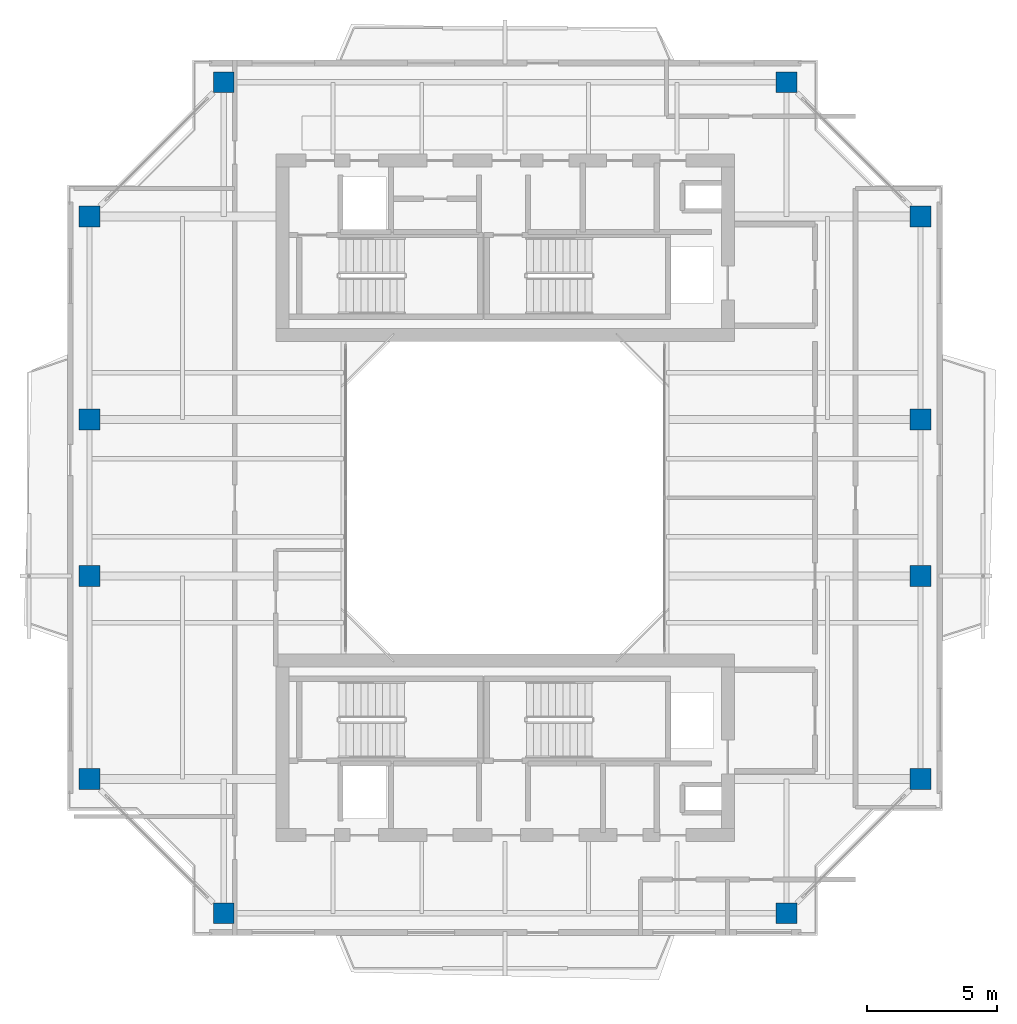
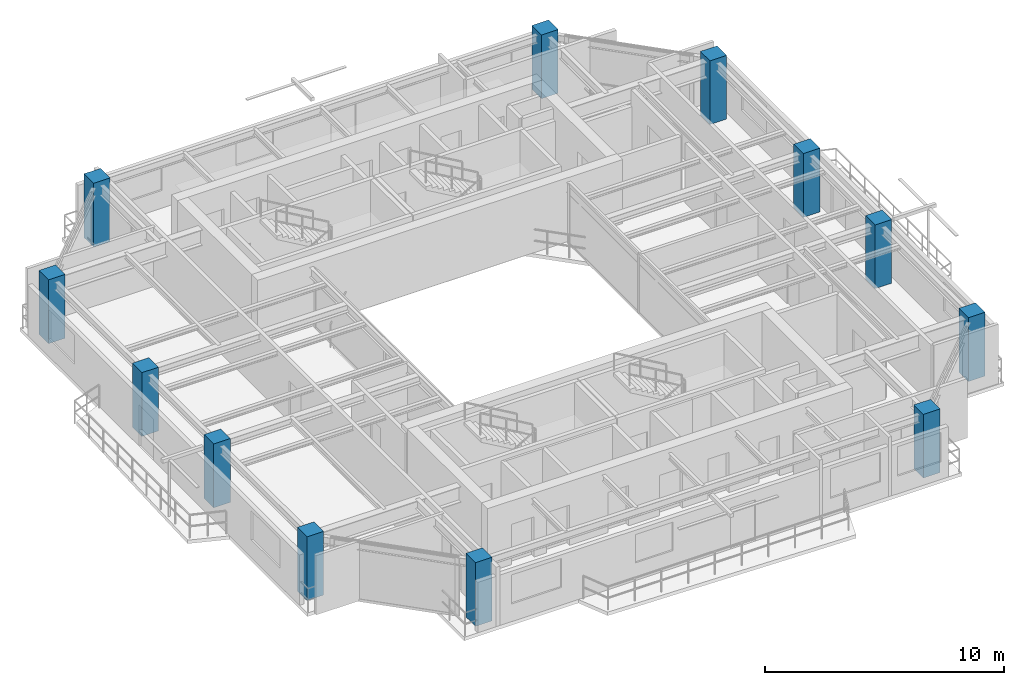
# One storey, part 1 of 16: 12 columns.
"""IFC4 building model written with IfcOpenShell, lengths in metres."""

from ifc_helpers import new_model, si_unit, direction, frame, origin, origin_2d, place, context, subcontext, project, spatial, rectangle, extrude, source, transform, mapped, material, material_profile, profile_set, type_object, element, save


model = new_model("IFC4")

# Units and contexts
model_context = context("Model", 3, precision=1e-05, world=origin(), true_north=direction((0.0, 1.0)))
body_context = subcontext(model_context, "Body", "Model", "MODEL_VIEW")
ifc_project = project(units=[si_unit("LENGTHUNIT", "METRE"), si_unit("AREAUNIT", "SQUARE_METRE"), si_unit("VOLUMEUNIT", "CUBIC_METRE"), si_unit("PLANEANGLEUNIT", "RADIAN"), si_unit("MASSUNIT", "GRAM", prefix="KILO"), si_unit("THERMODYNAMICTEMPERATUREUNIT", "KELVIN"), si_unit("POWERUNIT", "WATT")], contexts=[model_context])

# Site, building, storey
site_placement = place(None, origin())
site = spatial("IfcSite", under=ifc_project, at=site_placement, CompositionType="ELEMENT")
building_placement = place(site_placement, origin())
building = spatial("IfcBuilding", under=site, at=building_placement, Name="Qiaomeng Ring Towers", CompositionType="ELEMENT")
storey_placement = place(building_placement, frame((0.0, 0.0, 229.5)))
storey = spatial("IfcBuildingStorey", under=building, at=storey_placement, Name="L67", CompositionType="ELEMENT", Elevation=229.5)

# Columns
ifc_material = material(Name="Concrete C40", Category="concrete")
ifc_material_profile = material_profile(ifc_material, rectangle(XDim=0.800048828125, YDim=0.800048828125, at=origin_2d()), Name="RC COL 800x800")
ifc_profile_set = profile_set([ifc_material_profile], Name="Concrete C40")
column_type = type_object("IfcColumnType", Name="STR-COL-800-C40", PredefinedType="COLUMN", material=ifc_profile_set)
shared_shape = source(origin(), body_context, "Body", "SweptSolid", [
    extrude(rectangle(XDim=0.800048828125, YDim=0.800048828125, at=origin_2d()), origin(), (0.0, 0.0, 1.0), 3.25),
])
for number, where, z_axis, x_axis, name in (
    (1, (8.199951171875, 7.050048828125, 0.0), (0.0, 0.0, 1.0), (1.0, 0.0, 0.0), "L67 column STR-COL-L67-T1-S1"),
    (2, (29.800048828125, 7.050048828125, 0.0), (0.0, 0.0, 1.0), (1.0, 0.0, 0.0), "L67 column STR-COL-L67-T1-S2"),
    (3, (34.949951171875, 12.199951171875, 0.0), (0.0, 0.0, 1.0), (1.0, 0.0, 0.0), "L67 column STR-COL-L67-T1-E1"),
    (4, (34.949951171875, 20.0, 0.0), (0.0, 0.0, 1.0), (1.0, 0.0, 0.0), "L67 column STR-COL-L67-T1-E2"),
    (5, (34.949951171875, 26.0, 0.0), (0.0, 0.0, 1.0), (1.0, 0.0, 0.0), "L67 column STR-COL-L67-T1-E3"),
    (6, (34.949951171875, 33.800048828125, 0.0), (0.0, 0.0, 1.0), (1.0, 0.0, 0.0), "L67 column STR-COL-L67-T1-E4"),
    (7, (29.800048828125, 38.949951171875, 0.0), (0.0, 0.0, 1.0), (1.0, 0.0, 0.0), "L67 column STR-COL-L67-T1-N2"),
    (8, (8.199951171875, 38.949951171875, 0.0), (0.0, 0.0, 1.0), (1.0, 0.0, 0.0), "L67 column STR-COL-L67-T1-N1"),
    (9, (3.050048828125, 33.800048828125, 0.0), (0.0, 0.0, 1.0), (1.0, 0.0, 0.0), "L67 column STR-COL-L67-T1-W4"),
    (10, (3.050048828125, 26.0, 0.0), (0.0, 0.0, 1.0), (1.0, 0.0, 0.0), "L67 column STR-COL-L67-T1-W3"),
    (11, (3.050048828125, 20.0, 0.0), (0.0, 0.0, 1.0), (1.0, 0.0, 0.0), "L67 column STR-COL-L67-T1-W2"),
    (12, (3.050048828125, 12.199951171875, 0.0), (0.0, 0.0, 1.0), (1.0, 0.0, 0.0), "L67 column STR-COL-L67-T1-W1"),
):
    element("IfcColumn", number, at=place(storey_placement, frame(where, z_axis=z_axis, x_axis=x_axis)), inside=storey, type_object=column_type, Name=name, PredefinedType="COLUMN", context=body_context, shape_type="MappedRepresentation", body=[
        mapped(shared_shape, transform((0.0, 0.0, 0.0), x_axis=(1.0, 0.0, 0.0), y_axis=(0.0, 1.0, 0.0), z_axis=(0.0, 0.0, 1.0), scale=1.0)),
    ])

save(model, "model.ifc")
